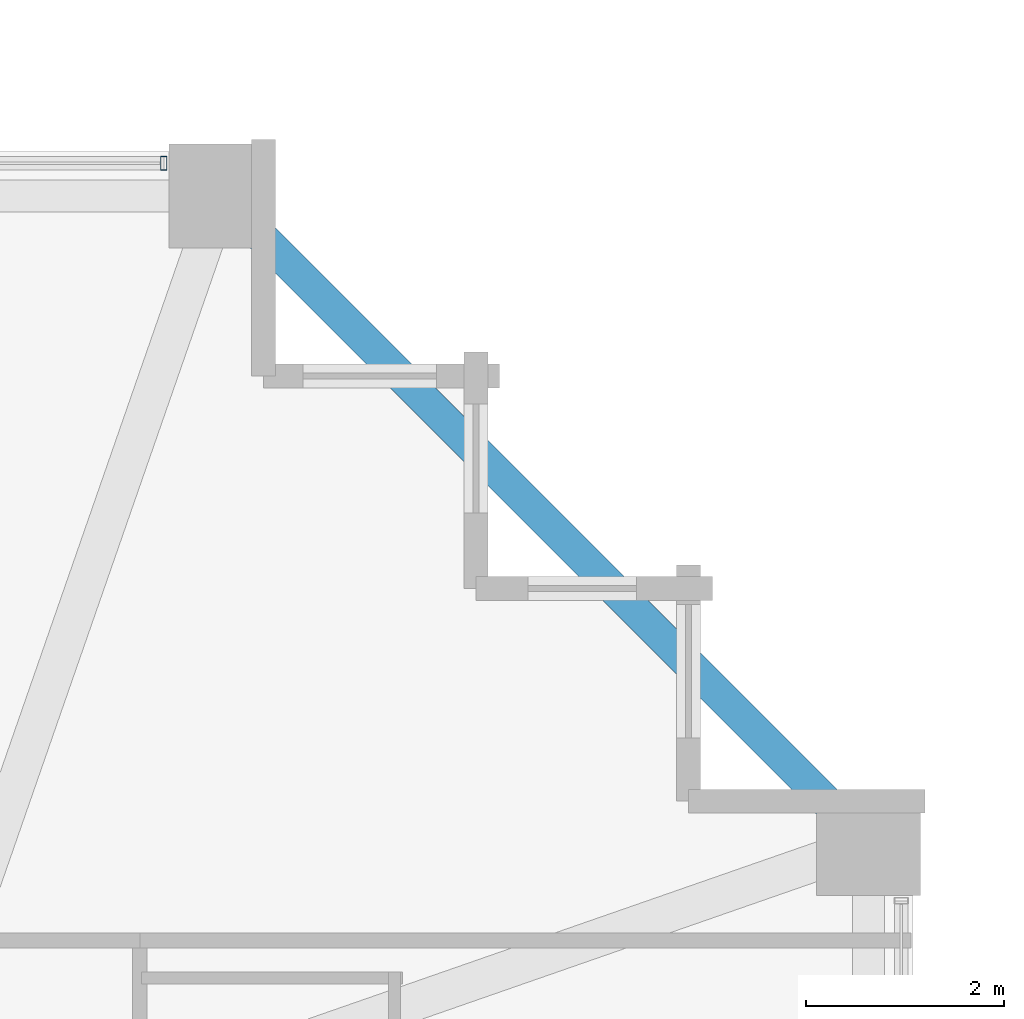
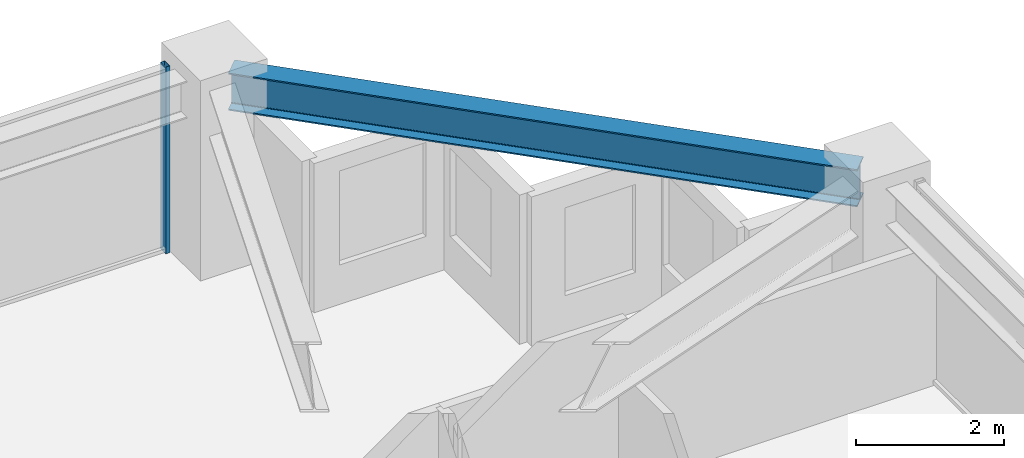
# One storey, part 26 of 38: 1 beam, 1 member, 1 element without a shape of its own.
"""IFC4 building model written with IfcOpenShell, lengths in metres."""

from ifc_helpers import new_model, si_unit, direction, frame, origin, origin_2d, place, context, subcontext, project, spatial, hollow_rectangle, i_section, extrude, material, material_profile, profile_set, type_object, element, aggregate, save


model = new_model("IFC4")

# Units and contexts
model_context = context("Model", 3, precision=1e-05, world=origin(), true_north=direction((0.0, 1.0)))
body_context = subcontext(model_context, "Body", "Model", "MODEL_VIEW")
ifc_project = project(units=[si_unit("LENGTHUNIT", "METRE"), si_unit("AREAUNIT", "SQUARE_METRE"), si_unit("VOLUMEUNIT", "CUBIC_METRE"), si_unit("PLANEANGLEUNIT", "RADIAN"), si_unit("MASSUNIT", "GRAM", prefix="KILO")], contexts=[model_context])

# Site, building, storey
site_placement = place(None, origin())
site = spatial("IfcSite", under=ifc_project, at=site_placement, CompositionType="ELEMENT")
building_placement = place(site_placement, origin())
building = spatial("IfcBuilding", under=site, at=building_placement, Name="Kolvaren Belvedere", CompositionType="ELEMENT")
storey_placement = place(building_placement, frame((0.0, 0.0, 72.199951171875)))
storey = spatial("IfcBuildingStorey", under=building, at=storey_placement, Name="L20", CompositionType="ELEMENT", Elevation=72.199951171875)

# Beam
ifc_material_1 = material(Name="Structural steel ASTM A992 Grade 50", Category="steel")
ifc_material_profile_1 = material_profile(ifc_material_1, i_section(OverallWidth=0.324951171875, OverallDepth=0.615966796875, WebThickness=0.013916015625, FlangeThickness=0.021484375, FilletRadius=0.02001953125, at=origin_2d()), Name="W24X117")
ifc_profile_set_1 = profile_set([ifc_material_profile_1], Name="Structural steel ASTM A992 Grade 50")
beam_type = type_object("IfcBeamType", Name="BM-SPAN-W24X117", PredefinedType="SPANDREL", material=ifc_profile_set_1)
beam_placement = place(storey_placement, frame((19.782958984375, 13.567138671875, 2.77197265625), z_axis=(-0.707106781187, 0.707106781187, 0.0), x_axis=(-0.707106781187, -0.707106781187, 0.0)))
element("IfcBeam", 1, at=beam_placement, inside=storey, type_object=beam_type, Name="L20 Perimeter Spandrel E4-N4", PredefinedType="SPANDREL", context=body_context, shape_type="SweptSolid", body=[
    extrude(i_section(OverallWidth=0.324951171875, OverallDepth=0.615966796875, WebThickness=0.013916015625, FlangeThickness=0.021484375, FilletRadius=0.02001953125, at=origin_2d()), origin(), (0.0, 0.0, 1.0), 8.79052734375),
])

# Curtain wall, member
ifc_material_2 = material(Name="Anodised pale-metal aluminium AA 6063-T6", Category="aluminium")
curtain_wall_type = type_object("IfcCurtainWallType", Name="CW-Z2-MID", PredefinedType="NOTDEFINED", material=ifc_material_2)
curtain_wall_placement = place(storey_placement, origin())
curtain_wall = element("IfcCurtainWall", 2, at=curtain_wall_placement, inside=storey, type_object=curtain_wall_type, Name="L20 Unitised Curtain Wall FCW-L20-N2-B2", PredefinedType="NOTDEFINED")
ifc_material_3 = material(Name="Anodised pale-metal aluminium AA 6063-T6", Category="aluminium")
ifc_material_profile_2 = material_profile(ifc_material_3, hollow_rectangle(XDim=0.06494140625, YDim=0.139892578125, WallThickness=0.00390625, at=origin_2d()), Name="ALU-MUL-140X65")
ifc_profile_set_2 = profile_set([ifc_material_profile_2], Name="Anodised pale-metal aluminium AA 6063-T6")
member_type = type_object("IfcMemberType", Name="CW-MUL-140", PredefinedType="MULLION", material=ifc_profile_set_2)
member_placement = place(storey_placement, frame((12.822509765625, 20.280029296875, 0.0), z_axis=(0.0, 0.0, 1.0), x_axis=(1.0, 0.0, 0.0)))
member = element("IfcMember", 3, at=member_placement, type_object=member_type, Name="FCW-L20-N2-B2 Unitised Mullion 3", PredefinedType="MULLION", context=body_context, shape_type="SweptSolid", body=[
    extrude(hollow_rectangle(XDim=0.06494140625, YDim=0.139892578125, WallThickness=0.00390625, at=origin_2d()), origin(), (0.0, 0.0, 1.0), 3.080078125),
])
aggregate(curtain_wall, [member])

save(model, "model.ifc")
